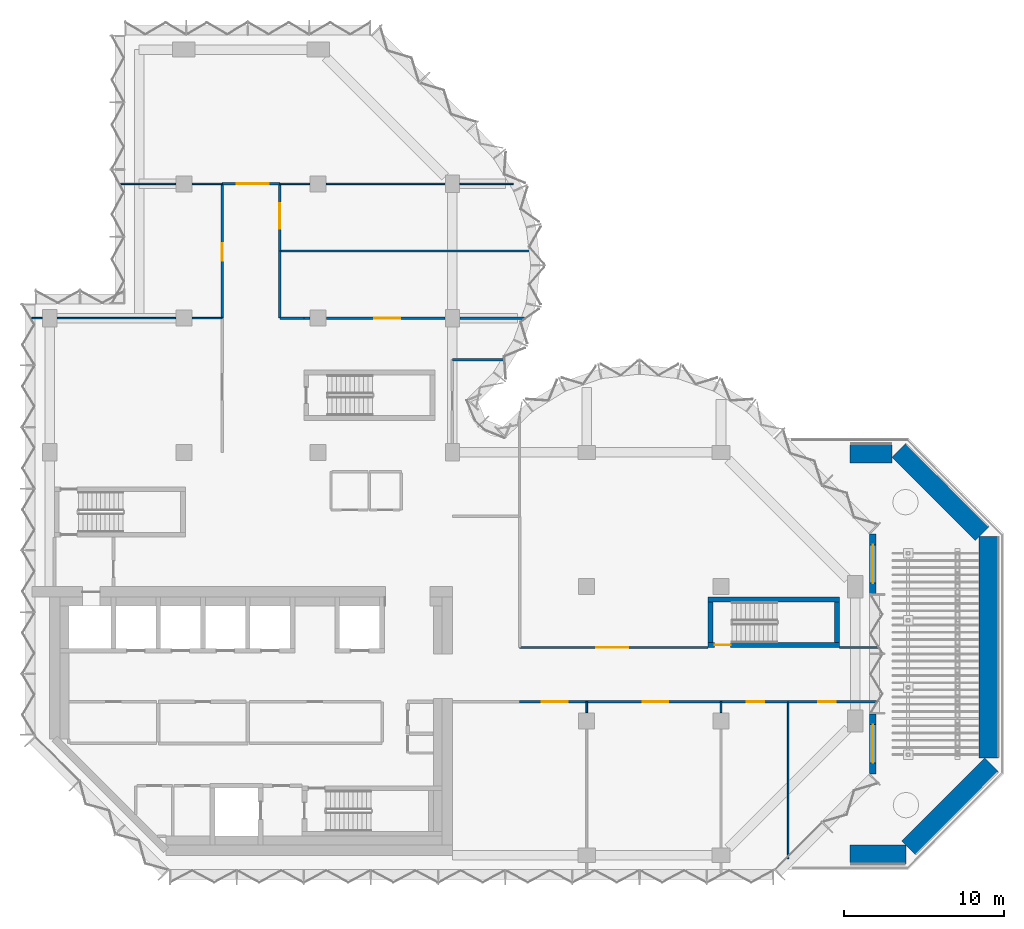
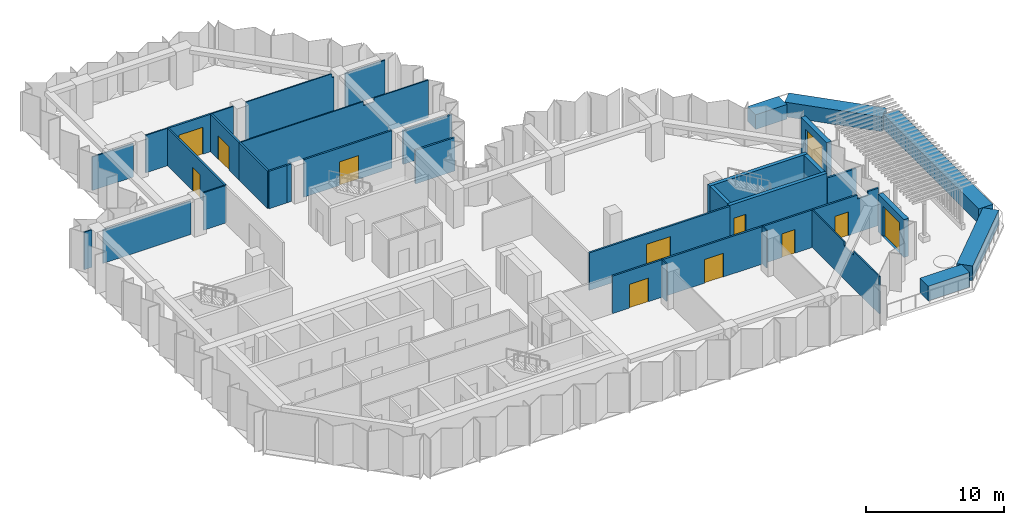
# One storey, part 10 of 14: 38 walls, 12 doors, 12 openings.
"""IFC4 building model written with IfcOpenShell, lengths in metres."""

from ifc_helpers import new_model, si_unit, direction, frame, frame_2d, origin, place, context, subcontext, project, spatial, polyline, rectangle, outline, extrude, material, layer, layer_set, type_object, element, fill, save


model = new_model("IFC4")

# Units and contexts
model_context = context("Model", 3, precision=1e-05, world=origin(), true_north=direction((0.0, 1.0)))
body_context = subcontext(model_context, "Body", "Model", "MODEL_VIEW")
ifc_project = project(units=[si_unit("LENGTHUNIT", "METRE"), si_unit("AREAUNIT", "SQUARE_METRE"), si_unit("VOLUMEUNIT", "CUBIC_METRE"), si_unit("PLANEANGLEUNIT", "RADIAN"), si_unit("MASSUNIT", "GRAM", prefix="KILO")], contexts=[model_context])

# Site, building, storey
site_placement = place(None, origin())
site = spatial("IfcSite", under=ifc_project, at=site_placement, CompositionType="ELEMENT")
building_placement = place(site_placement, origin())
building = spatial("IfcBuilding", under=site, at=building_placement, Name="Brevane Broadcast Tower", CompositionType="ELEMENT")
storey_placement = place(building_placement, frame((0.0, 0.0, 184.800048828125)))
storey = spatial("IfcBuildingStorey", under=building, at=storey_placement, Name="L46", CompositionType="ELEMENT", Elevation=184.800048828125)

# Wall, opening, door
ifc_material_1 = material(Name="Concrete C60/75", Category="concrete")
ifc_layer_1 = layer(ifc_material_1, 0.300048828125)
ifc_layer_set_1 = layer_set([ifc_layer_1], Name="Core wall 300 mm C60/75")
wall_type_1 = type_object("IfcWallType", Name="Core wall 300 mm C60/75", PredefinedType="SHEAR", material=ifc_layer_set_1)
wall_1_placement = place(storey_placement, frame((49.39990234375, 13.14990234375, 0.0), z_axis=(0.0, 0.0, 1.0), x_axis=(-1.0, 0.0, 0.0)))
wall_1 = element("IfcWall", 1, at=wall_1_placement, inside=storey, type_object=wall_type_1, Name="L46 stair wall ST-4-S", PredefinedType="SHEAR", context=body_context, shape_type="SweptSolid", body=[
    extrude(rectangle(XDim=8.199951171875, YDim=0.300048828125, at=frame_2d((4.10009765625, 0.0))), origin(), (0.0, 0.0, 1.0), 3.349853515625),
])
opening_1_placement = place(wall_1_placement, frame((6.800048828125, 0.0, 0.0)))
opening_1 = element("IfcOpeningElement", 2, at=opening_1_placement, cuts=wall_1, Name="Opening L46-K13", PredefinedType="OPENING", context=body_context, shape_type="SweptSolid", body=[
    extrude(rectangle(XDim=1.0, YDim=2.10009765625, at=frame_2d((0.5, 1.050048828125))), frame((0.0, 0.159912109375, 0.0), z_axis=(0.0, -1.0, 0.0), x_axis=(1.0, 0.0, 0.0)), (0.0, 0.0, 1.0), 0.320068359375),
])
ifc_material_2 = material(Name="Steel", Category="steel")
door_type_1 = type_object("IfcDoorType", Name="Stair door 1000 x 2100", OperationType="SINGLE_SWING_LEFT", PredefinedType="DOOR", material=ifc_material_2)
door_1_placement = place(opening_1_placement, origin())
door_1 = element("IfcDoor", 3, at=door_1_placement, inside=storey, type_object=door_type_1, Name="Door L46-K13", OperationType="SINGLE_SWING_RIGHT", OverallHeight=2.10009765625, OverallWidth=1.0, PredefinedType="DOOR", context=body_context, shape_type="SweptSolid", body=[
    extrude(rectangle(XDim=1.0, YDim=2.10009765625, at=frame_2d((0.5, 1.050048828125))), frame((0.0, 0.02490234375, 0.0), z_axis=(0.0, -1.0, 0.0), x_axis=(1.0, 0.0, 0.0)), (0.0, 0.0, 1.0), 0.050048828125),
])
fill(opening_1, door_1)

# Walls
wall_2_placement = place(storey_placement, frame((41.199951171875, 16.0, 0.0), z_axis=(0.0, 0.0, 1.0), x_axis=(1.0, 0.0, 0.0)))
element("IfcWall", 4, at=wall_2_placement, inside=storey, type_object=wall_type_1, Name="L46 stair wall ST-4-N", PredefinedType="SHEAR", context=body_context, shape_type="SweptSolid", body=[
    extrude(rectangle(XDim=8.199951171875, YDim=0.300048828125, at=frame_2d((4.10009765625, 0.0))), origin(), (0.0, 0.0, 1.0), 3.349853515625),
])
for number, where, z_axis, x_axis, name in (
    (5, (41.35009765625, 13.300048828125, 0.0), (0.0, 0.0, 1.0), (0.0, 1.0, 0.0), "L46 stair wall ST-4-W"),
    (6, (49.25, 13.300048828125, 0.0), (0.0, 0.0, 1.0), (0.0, 1.0, 0.0), "L46 stair wall ST-4-E"),
):
    element("IfcWall", number, at=place(storey_placement, frame(where, z_axis=z_axis, x_axis=x_axis)), inside=storey, type_object=wall_type_1, Name=name, PredefinedType="SHEAR", context=body_context, shape_type="SweptSolid", body=[
        extrude(rectangle(XDim=2.550048828125, YDim=0.300048828125, at=frame_2d((1.27490234375, 0.0))), origin(), (0.0, 0.0, 1.0), 3.349853515625),
    ])

# Wall, opening, door
ifc_material_3 = material(Name="Concrete C40/50", Category="concrete")
ifc_layer_2 = layer(ifc_material_3, 0.39990234375)
ifc_layer_set_2 = layer_set([ifc_layer_2], Name="Entrance portal wall 400")
wall_type_2 = type_object("IfcWallType", Name="Entrance portal wall 400", PredefinedType="SOLIDWALL", material=ifc_layer_set_2)
wall_3_placement = place(storey_placement, frame((51.5, 8.85009765625, 0.0), z_axis=(0.0, 0.0, 1.0), x_axis=(0.0, -1.0, 0.0)))
wall_3 = element("IfcWall", 7, at=wall_3_placement, inside=storey, type_object=wall_type_2, Name="Portal wall terrace door", PredefinedType="SOLIDWALL", context=body_context, shape_type="SweptSolid", body=[
    extrude(rectangle(XDim=3.75, YDim=0.39990234375, at=frame_2d((1.875, 0.0))), origin(), (0.0, 0.0, 1.0), 3.349853515625),
])
opening_2_placement = place(wall_3_placement, frame((0.675048828125, 0.0, 0.0)))
opening_2 = element("IfcOpeningElement", 8, at=opening_2_placement, cuts=wall_3, Name="Opening EX15", PredefinedType="OPENING", context=body_context, shape_type="SweptSolid", body=[
    extrude(rectangle(XDim=2.39990234375, YDim=2.699951171875, at=frame_2d((1.199951171875, 1.35009765625))), frame((0.0, 0.2099609375, 0.0), z_axis=(0.0, -1.0, 0.0), x_axis=(1.0, 0.0, 0.0)), (0.0, 0.0, 1.0), 0.419921875),
])
ifc_material_4 = material(Name="Aluminium bronze anodised and laminated glass", Category="aluminium")
door_type_2 = type_object("IfcDoorType", Name="Terrace door 2400x2700", OperationType="DOUBLE_DOOR_SINGLE_SWING", PredefinedType="DOOR", material=ifc_material_4)
door_2_placement = place(opening_2_placement, origin())
door_2 = element("IfcDoor", 9, at=door_2_placement, inside=storey, type_object=door_type_2, Name="Terrace door", OperationType="DOUBLE_DOOR_SINGLE_SWING", OverallHeight=2.699951171875, OverallWidth=2.39990234375, PredefinedType="DOOR", context=body_context, shape_type="SweptSolid", body=[
    extrude(rectangle(XDim=2.39990234375, YDim=2.699951171875, at=frame_2d((1.199951171875, 1.35009765625))), frame((0.0, 0.02490234375, 0.0), z_axis=(0.0, -1.0, 0.0), x_axis=(1.0, 0.0, 0.0)), (0.0, 0.0, 1.0), 0.050048828125),
])
fill(opening_2, door_2)

wall_4_placement = place(storey_placement, frame((51.5, 20.10009765625, 0.0), z_axis=(0.0, 0.0, 1.0), x_axis=(0.0, -1.0, 0.0)))
wall_4 = element("IfcWall", 10, at=wall_4_placement, inside=storey, type_object=wall_type_2, Name="Portal wall terrace door", PredefinedType="SOLIDWALL", context=body_context, shape_type="SweptSolid", body=[
    extrude(rectangle(XDim=3.75, YDim=0.39990234375, at=frame_2d((1.875, 0.0))), origin(), (0.0, 0.0, 1.0), 3.349853515625),
])
opening_3_placement = place(wall_4_placement, frame((0.675048828125, 0.0, 0.0)))
opening_3 = element("IfcOpeningElement", 11, at=opening_3_placement, cuts=wall_4, Name="Opening EX16", PredefinedType="OPENING", context=body_context, shape_type="SweptSolid", body=[
    extrude(rectangle(XDim=2.39990234375, YDim=2.699951171875, at=frame_2d((1.199951171875, 1.35009765625))), frame((0.0, 0.2099609375, 0.0), z_axis=(0.0, -1.0, 0.0), x_axis=(1.0, 0.0, 0.0)), (0.0, 0.0, 1.0), 0.419921875),
])
door_3_placement = place(opening_3_placement, origin())
door_3 = element("IfcDoor", 12, at=door_3_placement, inside=storey, type_object=door_type_2, Name="Terrace door", OperationType="DOUBLE_DOOR_SINGLE_SWING", OverallHeight=2.699951171875, OverallWidth=2.39990234375, PredefinedType="DOOR", context=body_context, shape_type="SweptSolid", body=[
    extrude(rectangle(XDim=2.39990234375, YDim=2.699951171875, at=frame_2d((1.199951171875, 1.35009765625))), frame((0.0, 0.02490234375, 0.0), z_axis=(0.0, -1.0, 0.0), x_axis=(1.0, 0.0, 0.0)), (0.0, 0.0, 1.0), 0.050048828125),
])
fill(opening_3, door_3)

# Walls
ifc_material_5 = material(Name="Gypsum board partition")
ifc_layer_3 = layer(ifc_material_5, 0.10009765625)
ifc_layer_set_3 = layer_set([ifc_layer_3], Name="PARTITION 100 STUD")
wall_type_3 = type_object("IfcWallType", Name="PARTITION 100 STUD", PredefinedType="PARTITIONING", material=ifc_layer_set_3)
for number, where, z_axis, x_axis, name in (
    (13, (33.60009765625, 9.60009765625, 0.0), (0.0, 0.0, 1.0), (0.0, -1.0, 0.0), "Partition G14-013"),
    (14, (42.0, 9.60009765625, 0.0), (0.0, 0.0, 1.0), (0.0, -1.0, 0.0), "Partition G14-016"),
):
    element("IfcWall", number, at=place(storey_placement, frame(where, z_axis=z_axis, x_axis=x_axis)), inside=storey, type_object=wall_type_3, Name=name, PredefinedType="PARTITIONING", context=body_context, shape_type="SweptSolid", body=[
        extrude(rectangle(XDim=0.68017578125, YDim=0.10009765625, at=frame_2d((0.340087890625, 0.0))), origin(), (0.0, 0.0, 1.0), 3.329833984375),
    ])
wall_5_placement = place(storey_placement, frame((46.199951171875, 9.60009765625, 0.0), z_axis=(0.0, 0.0, 1.0), x_axis=(0.0, -1.0, 0.0)))
element("IfcWall", 15, at=wall_5_placement, inside=storey, type_object=wall_type_3, Name="Partition G14-019", PredefinedType="PARTITIONING", context=body_context, shape_type="SweptSolid", body=[
    extrude(outline(polyline([(0.0, 0.0), (9.800048828125, 0.0), (9.800048828125, 3.329833984375), (6.065673828125, 3.329833984375), (6.063720703125, 2.97998046875), (4.736328125, 2.97998046875), (4.734375, 3.329833984375), (0.0, 3.329833984375), (0.0, 0.0)])), frame((0.0, 0.050048828125, 0.0), z_axis=(0.0, -1.0, 0.0), x_axis=(1.0, 0.0, 0.0)), (0.0, 0.0, 1.0), 0.10009765625),
])
wall_6_placement = place(storey_placement, frame((10.800048828125, 42.0, 0.0), z_axis=(0.0, 0.0, 1.0), x_axis=(-1.0, 0.0, 0.0)))
element("IfcWall", 16, at=wall_6_placement, inside=storey, type_object=wall_type_3, Name="Partition G14-029", PredefinedType="PARTITIONING", context=body_context, shape_type="SweptSolid", body=[
    extrude(rectangle(XDim=1.880126953125, YDim=0.10009765625, at=frame_2d((0.93994140625, 0.0))), origin(), (0.0, 0.0, 1.0), 3.329833984375),
])
wall_7_placement = place(storey_placement, frame((7.8798828125, 42.0, 0.0), z_axis=(0.0, 0.0, 1.0), x_axis=(-1.0, 0.0, 0.0)))
element("IfcWall", 17, at=wall_7_placement, inside=storey, type_object=wall_type_3, Name="Partition G14-030", PredefinedType="PARTITIONING", context=body_context, shape_type="SweptSolid", body=[
    extrude(rectangle(XDim=3.453857421875, YDim=0.10009765625, at=frame_2d((1.72705078125, 0.0))), origin(), (0.0, 0.0, 1.0), 2.97998046875),
])
wall_8_placement = place(storey_placement, frame((29.011474609375, 42.0, 0.0), z_axis=(0.0, 0.0, 1.0), x_axis=(-1.0, 0.0, 0.0)))
element("IfcWall", 18, at=wall_8_placement, inside=storey, type_object=wall_type_3, Name="Partition G14-031", PredefinedType="PARTITIONING", context=body_context, shape_type="SweptSolid", body=[
    extrude(rectangle(XDim=3.341552734375, YDim=0.10009765625, at=frame_2d((1.6708984375, 0.0))), origin(), (0.0, 0.0, 1.0), 2.97998046875),
])
wall_9_placement = place(storey_placement, frame((24.72998046875, 42.0, 0.0), z_axis=(0.0, 0.0, 1.0), x_axis=(-1.0, 0.0, 0.0)))
element("IfcWall", 19, at=wall_9_placement, inside=storey, type_object=wall_type_3, Name="Partition G14-032", PredefinedType="PARTITIONING", context=body_context, shape_type="SweptSolid", body=[
    extrude(outline(polyline([(0.0, 0.0), (7.409912109375, 0.0), (7.409912109375, 3.329833984375), (0.19580078125, 3.329833984375), (0.193603515625, 2.97998046875), (0.0, 2.97998046875), (0.0, 0.0)])), frame((0.0, 0.050048828125, 0.0), z_axis=(0.0, -1.0, 0.0), x_axis=(1.0, 0.0, 0.0)), (0.0, 0.0, 1.0), 0.10009765625),
])
wall_10_placement = place(storey_placement, frame((16.280029296875, 42.0, 0.0), z_axis=(0.0, 0.0, 1.0), x_axis=(-1.0, 0.0, 0.0)))
element("IfcWall", 20, at=wall_10_placement, inside=storey, type_object=wall_type_3, Name="Partition G14-033", PredefinedType="PARTITIONING", context=body_context, shape_type="SweptSolid", body=[
    extrude(rectangle(XDim=1.880126953125, YDim=0.10009765625, at=frame_2d((0.93994140625, 0.0))), origin(), (0.0, 0.0, 1.0), 3.329833984375),
])
wall_11_placement = place(storey_placement, frame((-1.10009765625, 33.60009765625, 0.0), z_axis=(0.0, 0.0, 1.0), x_axis=(1.0, 0.0, 0.0)))
element("IfcWall", 21, at=wall_11_placement, inside=storey, type_object=wall_type_3, Name="Partition G14-034", PredefinedType="PARTITIONING", context=body_context, shape_type="SweptSolid", body=[
    extrude(rectangle(XDim=0.630126953125, YDim=0.10009765625, at=frame_2d((0.31494140625, 0.0))), origin(), (0.0, 0.0, 1.0), 3.329833984375),
])
wall_12_placement = place(storey_placement, frame((0.469970703125, 33.60009765625, 0.0), z_axis=(0.0, 0.0, 1.0), x_axis=(1.0, 0.0, 0.0)))
element("IfcWall", 22, at=wall_12_placement, inside=storey, type_object=wall_type_3, Name="Partition G14-035", PredefinedType="PARTITIONING", context=body_context, shape_type="SweptSolid", body=[
    extrude(outline(polyline([(0.0, 0.0), (7.409912109375, 0.0), (7.409912109375, 2.97998046875), (0.0, 2.97998046875), (0.0, 0.0)])), frame((0.0, 0.050048828125, 0.0), z_axis=(0.0, -1.0, 0.0), x_axis=(1.0, 0.0, 0.0)), (0.0, 0.0, 1.0), 0.10009765625),
])
wall_13_placement = place(storey_placement, frame((8.919921875, 33.60009765625, 0.0), z_axis=(0.0, 0.0, 1.0), x_axis=(1.0, 0.0, 0.0)))
element("IfcWall", 23, at=wall_13_placement, inside=storey, type_object=wall_type_3, Name="Partition G14-036", PredefinedType="PARTITIONING", context=body_context, shape_type="SweptSolid", body=[
    extrude(rectangle(XDim=1.880126953125, YDim=0.10009765625, at=frame_2d((0.93994140625, 0.0))), origin(), (0.0, 0.0, 1.0), 3.329833984375),
])
wall_14_placement = place(storey_placement, frame((14.39990234375, 37.800048828125, 0.0), z_axis=(0.0, 0.0, 1.0), x_axis=(1.0, 0.0, 0.0)))
element("IfcWall", 24, at=wall_14_placement, inside=storey, type_object=wall_type_3, Name="Partition G14-037", PredefinedType="PARTITIONING", context=body_context, shape_type="SweptSolid", body=[
    extrude(outline(polyline([(0.0, 0.0), (15.8427734375, 0.0), (15.8427734375, 3.329833984375), (11.25, 3.329833984375), (11.248046875, 2.97998046875), (10.35205078125, 2.97998046875), (10.35009765625, 3.329833984375), (0.0, 3.329833984375), (0.0, 0.0)])), frame((0.0, 0.050048828125, 0.0), z_axis=(0.0, -1.0, 0.0), x_axis=(1.0, 0.0, 0.0)), (0.0, 0.0, 1.0), 0.10009765625),
])
ifc_layer_4 = layer(ifc_material_5, 0.14990234375)
ifc_layer_set_4 = layer_set([ifc_layer_4], Name="PARTITION 150 EI 60")
wall_type_4 = type_object("IfcWallType", Name="PARTITION 150 EI 60", PredefinedType="PARTITIONING", material=ifc_layer_set_4)
wall_15_placement = place(storey_placement, frame((25.199951171875, 31.0, 0.0), z_axis=(0.0, 0.0, 1.0), x_axis=(1.0, 0.0, 0.0)))
element("IfcWall", 25, at=wall_15_placement, inside=storey, type_object=wall_type_4, Name="Partition G14-006", PredefinedType="PARTITIONING", context=body_context, shape_type="SweptSolid", body=[
    extrude(rectangle(XDim=3.32421875, YDim=0.14990234375, at=frame_2d((1.662109375, 0.0))), origin(), (0.0, 0.0, 1.0), 2.97998046875),
])

# Wall, opening, door
wall_16_placement = place(storey_placement, frame((33.60009765625, 9.60009765625, 0.0), z_axis=(0.0, 0.0, 1.0), x_axis=(-1.0, 0.0, 0.0)))
wall_16 = element("IfcWall", 26, at=wall_16_placement, inside=storey, type_object=wall_type_4, Name="Partition G14-007", PredefinedType="PARTITIONING", context=body_context, shape_type="SweptSolid", body=[
    extrude(rectangle(XDim=4.2001953125, YDim=0.14990234375, at=frame_2d((2.10009765625, 0.0))), origin(), (0.0, 0.0, 1.0), 3.329833984375),
])
opening_4_placement = place(wall_16_placement, frame((1.199951171875, 0.0, 0.0)))
opening_4 = element("IfcOpeningElement", 27, at=opening_4_placement, cuts=wall_16, Name="Opening D23-002", PredefinedType="OPENING", context=body_context, shape_type="SweptSolid", body=[
    extrude(rectangle(XDim=1.60009765625, YDim=2.10009765625, at=frame_2d((0.800048828125, 1.050048828125))), frame((0.0, 0.0849609375, 0.0), z_axis=(0.0, -1.0, 0.0), x_axis=(1.0, 0.0, 0.0)), (0.0, 0.0, 1.0), 0.169921875),
])
ifc_material_6 = material(Name="Fire-rated timber door leaf", Category="wood")
door_type_3 = type_object("IfcDoorType", Name="DOOR DOUBLE 1600 FD30S", OperationType="DOUBLE_DOOR_SINGLE_SWING", PredefinedType="DOOR", material=ifc_material_6)
door_4_placement = place(opening_4_placement, origin())
door_4 = element("IfcDoor", 28, at=door_4_placement, inside=storey, type_object=door_type_3, Name="Door D23-002", OperationType="DOUBLE_DOOR_SINGLE_SWING", OverallHeight=2.10009765625, OverallWidth=1.60009765625, PredefinedType="DOOR", context=body_context, shape_type="SweptSolid", body=[
    extrude(rectangle(XDim=1.60009765625, YDim=2.10009765625, at=frame_2d((0.800048828125, 1.050048828125))), frame((0.0, 0.02490234375, 0.0), z_axis=(0.0, -1.0, 0.0), x_axis=(1.0, 0.0, 0.0)), (0.0, 0.0, 1.0), 0.050048828125),
])
fill(opening_4, door_4)

wall_17_placement = place(storey_placement, frame((42.0, 9.60009765625, 0.0), z_axis=(0.0, 0.0, 1.0), x_axis=(-1.0, 0.0, 0.0)))
wall_17 = element("IfcWall", 29, at=wall_17_placement, inside=storey, type_object=wall_type_4, Name="Partition G14-008", PredefinedType="PARTITIONING", context=body_context, shape_type="SweptSolid", body=[
    extrude(rectangle(XDim=8.39990234375, YDim=0.14990234375, at=frame_2d((4.199951171875, 0.0))), origin(), (0.0, 0.0, 1.0), 3.329833984375),
])
opening_5_placement = place(wall_17_placement, frame((3.300048828125, 0.0, 0.0)))
opening_5 = element("IfcOpeningElement", 30, at=opening_5_placement, cuts=wall_17, Name="Opening D23-003", PredefinedType="OPENING", context=body_context, shape_type="SweptSolid", body=[
    extrude(rectangle(XDim=1.60009765625, YDim=2.10009765625, at=frame_2d((0.800048828125, 1.050048828125))), frame((0.0, 0.0849609375, 0.0), z_axis=(0.0, -1.0, 0.0), x_axis=(1.0, 0.0, 0.0)), (0.0, 0.0, 1.0), 0.169921875),
])
door_5_placement = place(opening_5_placement, origin())
door_5 = element("IfcDoor", 31, at=door_5_placement, inside=storey, type_object=door_type_3, Name="Door D23-003", OperationType="DOUBLE_DOOR_SINGLE_SWING", OverallHeight=2.10009765625, OverallWidth=1.60009765625, PredefinedType="DOOR", context=body_context, shape_type="SweptSolid", body=[
    extrude(rectangle(XDim=1.60009765625, YDim=2.10009765625, at=frame_2d((0.800048828125, 1.050048828125))), frame((0.0, 0.02490234375, 0.0), z_axis=(0.0, -1.0, 0.0), x_axis=(1.0, 0.0, 0.0)), (0.0, 0.0, 1.0), 0.050048828125),
])
fill(opening_5, door_5)

wall_18_placement = place(storey_placement, frame((46.199951171875, 9.60009765625, 0.0), z_axis=(0.0, 0.0, 1.0), x_axis=(-1.0, 0.0, 0.0)))
wall_18 = element("IfcWall", 32, at=wall_18_placement, inside=storey, type_object=wall_type_4, Name="Partition G14-009", PredefinedType="PARTITIONING", context=body_context, shape_type="SweptSolid", body=[
    extrude(rectangle(XDim=4.199951171875, YDim=0.14990234375, at=frame_2d((2.10009765625, 0.0))), origin(), (0.0, 0.0, 1.0), 3.329833984375),
])
opening_6_placement = place(wall_18_placement, frame((1.5, 0.0, 0.0)))
opening_6 = element("IfcOpeningElement", 33, at=opening_6_placement, cuts=wall_18, Name="Opening D23-004", PredefinedType="OPENING", context=body_context, shape_type="SweptSolid", body=[
    extrude(rectangle(XDim=1.10009765625, YDim=2.10009765625, at=frame_2d((0.550048828125, 1.050048828125))), frame((0.0, 0.0849609375, 0.0), z_axis=(0.0, -1.0, 0.0), x_axis=(1.0, 0.0, 0.0)), (0.0, 0.0, 1.0), 0.169921875),
])
door_type_4 = type_object("IfcDoorType", Name="DOOR SINGLE 1100 FD30S", OperationType="SINGLE_SWING_LEFT", PredefinedType="DOOR", material=ifc_material_6)
door_6_placement = place(opening_6_placement, origin())
door_6 = element("IfcDoor", 34, at=door_6_placement, inside=storey, type_object=door_type_4, Name="Door D23-004", OperationType="SINGLE_SWING_LEFT", OverallHeight=2.10009765625, OverallWidth=1.10009765625, PredefinedType="DOOR", context=body_context, shape_type="SweptSolid", body=[
    extrude(rectangle(XDim=1.10009765625, YDim=2.10009765625, at=frame_2d((0.550048828125, 1.050048828125))), frame((0.0, 0.02490234375, 0.0), z_axis=(0.0, -1.0, 0.0), x_axis=(1.0, 0.0, 0.0)), (0.0, 0.0, 1.0), 0.050048828125),
])
fill(opening_6, door_6)

wall_19_placement = place(storey_placement, frame((51.73046875, 9.60009765625, 0.0), z_axis=(0.0, 0.0, 1.0), x_axis=(-1.0, 0.0, 0.0)))
wall_19 = element("IfcWall", 35, at=wall_19_placement, inside=storey, type_object=wall_type_4, Name="Partition G14-010", PredefinedType="PARTITIONING", context=body_context, shape_type="SweptSolid", body=[
    extrude(outline(polyline([(0.0, 0.0), (5.530517578125, 0.0), (5.530517578125, 3.329833984375), (1.780517578125, 3.329833984375), (1.778564453125, 2.97998046875), (0.882568359375, 2.97998046875), (0.880615234375, 3.329833984375), (0.25048828125, 3.329833984375), (0.0, 3.329833984375), (0.0, 0.0)])), frame((0.0, 0.074951171875, 0.0), z_axis=(0.0, -1.0, 0.0), x_axis=(1.0, 0.0, 0.0)), (0.0, 0.0, 1.0), 0.14990234375),
])
opening_7_placement = place(wall_19_placement, frame((2.550537109375, 0.0, 0.0)))
opening_7 = element("IfcOpeningElement", 36, at=opening_7_placement, cuts=wall_19, Name="Opening D23-005", PredefinedType="OPENING", context=body_context, shape_type="SweptSolid", body=[
    extrude(rectangle(XDim=1.10009765625, YDim=2.10009765625, at=frame_2d((0.550048828125, 1.050048828125))), frame((0.0, 0.0849609375, 0.0), z_axis=(0.0, -1.0, 0.0), x_axis=(1.0, 0.0, 0.0)), (0.0, 0.0, 1.0), 0.169921875),
])
door_7_placement = place(opening_7_placement, origin())
door_7 = element("IfcDoor", 37, at=door_7_placement, inside=storey, type_object=door_type_4, Name="Door D23-005", OperationType="SINGLE_SWING_LEFT", OverallHeight=2.10009765625, OverallWidth=1.10009765625, PredefinedType="DOOR", context=body_context, shape_type="SweptSolid", body=[
    extrude(rectangle(XDim=1.10009765625, YDim=2.10009765625, at=frame_2d((0.550048828125, 1.050048828125))), frame((0.0, 0.02490234375, 0.0), z_axis=(0.0, -1.0, 0.0), x_axis=(1.0, 0.0, 0.0)), (0.0, 0.0, 1.0), 0.050048828125),
])
fill(opening_7, door_7)

wall_20_placement = place(storey_placement, frame((29.39990234375, 13.0, 0.0), z_axis=(0.0, 0.0, 1.0), x_axis=(1.0, 0.0, 0.0)))
wall_20 = element("IfcWall", 38, at=wall_20_placement, inside=storey, type_object=wall_type_4, Name="Partition G14-011", PredefinedType="PARTITIONING", context=body_context, shape_type="SweptSolid", body=[
    extrude(rectangle(XDim=11.800048828125, YDim=0.14990234375, at=frame_2d((5.89990234375, 0.0))), origin(), (0.0, 0.0, 1.0), 3.329833984375),
])
opening_8_placement = place(wall_20_placement, frame((4.800048828125, 0.0, 0.0)))
opening_8 = element("IfcOpeningElement", 39, at=opening_8_placement, cuts=wall_20, Name="Opening D23-006", PredefinedType="OPENING", context=body_context, shape_type="SweptSolid", body=[
    extrude(rectangle(XDim=2.0, YDim=2.39990234375, at=frame_2d((1.0, 1.199951171875))), frame((0.0, 0.0849609375, 0.0), z_axis=(0.0, -1.0, 0.0), x_axis=(1.0, 0.0, 0.0)), (0.0, 0.0, 1.0), 0.169921875),
])
door_type_5 = type_object("IfcDoorType", Name="DOOR DOUBLE 2000 FD30S", OperationType="DOUBLE_DOOR_SINGLE_SWING", PredefinedType="DOOR", material=ifc_material_6)
door_8_placement = place(opening_8_placement, origin())
door_8 = element("IfcDoor", 40, at=door_8_placement, inside=storey, type_object=door_type_5, Name="Door D23-006", OperationType="DOUBLE_DOOR_SINGLE_SWING", OverallHeight=2.39990234375, OverallWidth=2.0, PredefinedType="DOOR", context=body_context, shape_type="SweptSolid", body=[
    extrude(rectangle(XDim=2.0, YDim=2.39990234375, at=frame_2d((1.0, 1.199951171875))), frame((0.0, 0.02490234375, 0.0), z_axis=(0.0, -1.0, 0.0), x_axis=(1.0, 0.0, 0.0)), (0.0, 0.0, 1.0), 0.050048828125),
])
fill(opening_8, door_8)

# Walls
wall_21_placement = place(storey_placement, frame((49.39990234375, 13.0, 0.0), z_axis=(0.0, 0.0, 1.0), x_axis=(1.0, 0.0, 0.0)))
element("IfcWall", 41, at=wall_21_placement, inside=storey, type_object=wall_type_4, Name="Partition G14-012", PredefinedType="PARTITIONING", context=body_context, shape_type="SweptSolid", body=[
    extrude(rectangle(XDim=2.419677734375, YDim=0.14990234375, at=frame_2d((1.2099609375, 0.0))), origin(), (0.0, 0.0, 1.0), 2.97998046875),
])
wall_22_placement = place(storey_placement, frame((14.39990234375, 33.60009765625, 0.0), z_axis=(0.0, 0.0, 1.0), x_axis=(1.0, 0.0, 0.0)))
element("IfcWall", 42, at=wall_22_placement, inside=storey, type_object=wall_type_4, Name="Partition G14-021", PredefinedType="PARTITIONING", context=body_context, shape_type="SweptSolid", body=[
    extrude(rectangle(XDim=1.5, YDim=0.14990234375, at=frame_2d((0.75, 0.0))), origin(), (0.0, 0.0, 1.0), 3.329833984375),
])
wall_23_placement = place(storey_placement, frame((15.89990234375, 33.60009765625, 0.0), z_axis=(0.0, 0.0, 1.0), x_axis=(1.0, 0.0, 0.0)))
element("IfcWall", 43, at=wall_23_placement, inside=storey, type_object=wall_type_4, Name="Partition G14-022", PredefinedType="PARTITIONING", context=body_context, shape_type="SweptSolid", body=[
    extrude(rectangle(XDim=0.380126953125, YDim=0.14990234375, at=frame_2d((0.18994140625, 0.0))), origin(), (0.0, 0.0, 1.0), 3.329833984375),
])

# Wall, opening, door
wall_24_placement = place(storey_placement, frame((17.320068359375, 33.60009765625, 0.0), z_axis=(0.0, 0.0, 1.0), x_axis=(1.0, 0.0, 0.0)))
wall_24 = element("IfcWall", 44, at=wall_24_placement, inside=storey, type_object=wall_type_4, Name="Partition G14-023", PredefinedType="PARTITIONING", context=body_context, shape_type="SweptSolid", body=[
    extrude(rectangle(XDim=7.409912109375, YDim=0.14990234375, at=frame_2d((3.705078125, 0.0))), origin(), (0.0, 0.0, 1.0), 3.329833984375),
])
opening_9_placement = place(wall_24_placement, frame((3.0, 0.0, 0.0)))
opening_9 = element("IfcOpeningElement", 45, at=opening_9_placement, cuts=wall_24, Name="Opening D23-010", PredefinedType="OPENING", context=body_context, shape_type="SweptSolid", body=[
    extrude(rectangle(XDim=1.60009765625, YDim=2.10009765625, at=frame_2d((0.800048828125, 1.050048828125))), frame((0.0, 0.0849609375, 0.0), z_axis=(0.0, -1.0, 0.0), x_axis=(1.0, 0.0, 0.0)), (0.0, 0.0, 1.0), 0.169921875),
])
door_9_placement = place(opening_9_placement, origin())
door_9 = element("IfcDoor", 46, at=door_9_placement, inside=storey, type_object=door_type_3, Name="Door D23-010", OperationType="DOUBLE_DOOR_SINGLE_SWING", OverallHeight=2.10009765625, OverallWidth=1.60009765625, PredefinedType="DOOR", context=body_context, shape_type="SweptSolid", body=[
    extrude(rectangle(XDim=1.60009765625, YDim=2.10009765625, at=frame_2d((0.800048828125, 1.050048828125))), frame((0.0, 0.02490234375, 0.0), z_axis=(0.0, -1.0, 0.0), x_axis=(1.0, 0.0, 0.0)), (0.0, 0.0, 1.0), 0.050048828125),
])
fill(opening_9, door_9)

# Wall
wall_25_placement = place(storey_placement, frame((25.669921875, 33.60009765625, 0.0), z_axis=(0.0, 0.0, 1.0), x_axis=(1.0, 0.0, 0.0)))
element("IfcWall", 47, at=wall_25_placement, inside=storey, type_object=wall_type_4, Name="Partition G14-024", PredefinedType="PARTITIONING", context=body_context, shape_type="SweptSolid", body=[
    extrude(rectangle(XDim=4.092041015625, YDim=0.14990234375, at=frame_2d((2.0458984375, 0.0))), origin(), (0.0, 0.0, 1.0), 2.97998046875),
])

# Wall, opening, door
wall_26_placement = place(storey_placement, frame((10.800048828125, 42.0, 0.0), z_axis=(0.0, 0.0, 1.0), x_axis=(1.0, 0.0, 0.0)))
wall_26 = element("IfcWall", 48, at=wall_26_placement, inside=storey, type_object=wall_type_4, Name="Partition G14-025", PredefinedType="PARTITIONING", context=body_context, shape_type="SweptSolid", body=[
    extrude(rectangle(XDim=3.599853515625, YDim=0.14990234375, at=frame_2d((1.7998046875, 0.0))), origin(), (0.0, 0.0, 1.0), 3.329833984375),
])
opening_10_placement = place(wall_26_placement, frame((0.89990234375, 0.0, 0.0)))
opening_10 = element("IfcOpeningElement", 49, at=opening_10_placement, cuts=wall_26, Name="Opening D23-007", PredefinedType="OPENING", context=body_context, shape_type="SweptSolid", body=[
    extrude(rectangle(XDim=2.0, YDim=2.39990234375, at=frame_2d((1.0, 1.199951171875))), frame((0.0, 0.0849609375, 0.0), z_axis=(0.0, -1.0, 0.0), x_axis=(1.0, 0.0, 0.0)), (0.0, 0.0, 1.0), 0.169921875),
])
door_10_placement = place(opening_10_placement, origin())
door_10 = element("IfcDoor", 50, at=door_10_placement, inside=storey, type_object=door_type_5, Name="Door D23-007", OperationType="DOUBLE_DOOR_SINGLE_SWING", OverallHeight=2.39990234375, OverallWidth=2.0, PredefinedType="DOOR", context=body_context, shape_type="SweptSolid", body=[
    extrude(rectangle(XDim=2.0, YDim=2.39990234375, at=frame_2d((1.0, 1.199951171875))), frame((0.0, 0.02490234375, 0.0), z_axis=(0.0, -1.0, 0.0), x_axis=(1.0, 0.0, 0.0)), (0.0, 0.0, 1.0), 0.050048828125),
])
fill(opening_10, door_10)

wall_27_placement = place(storey_placement, frame((10.800048828125, 33.60009765625, 0.0), z_axis=(0.0, 0.0, 1.0), x_axis=(0.0, 1.0, 0.0)))
wall_27 = element("IfcWall", 51, at=wall_27_placement, inside=storey, type_object=wall_type_4, Name="Partition G14-026", PredefinedType="PARTITIONING", context=body_context, shape_type="SweptSolid", body=[
    extrude(rectangle(XDim=8.39990234375, YDim=0.14990234375, at=frame_2d((4.199951171875, 0.0))), origin(), (0.0, 0.0, 1.0), 3.329833984375),
])
opening_11_placement = place(wall_27_placement, frame((3.60009765625, 0.0, 0.0)))
opening_11 = element("IfcOpeningElement", 52, at=opening_11_placement, cuts=wall_27, Name="Opening D23-009", PredefinedType="OPENING", context=body_context, shape_type="SweptSolid", body=[
    extrude(rectangle(XDim=1.10009765625, YDim=2.10009765625, at=frame_2d((0.550048828125, 1.050048828125))), frame((0.0, 0.0849609375, 0.0), z_axis=(0.0, -1.0, 0.0), x_axis=(1.0, 0.0, 0.0)), (0.0, 0.0, 1.0), 0.169921875),
])
door_11_placement = place(opening_11_placement, origin())
door_11 = element("IfcDoor", 53, at=door_11_placement, inside=storey, type_object=door_type_4, Name="Door D23-009", OperationType="SINGLE_SWING_LEFT", OverallHeight=2.10009765625, OverallWidth=1.10009765625, PredefinedType="DOOR", context=body_context, shape_type="SweptSolid", body=[
    extrude(rectangle(XDim=1.10009765625, YDim=2.10009765625, at=frame_2d((0.550048828125, 1.050048828125))), frame((0.0, 0.02490234375, 0.0), z_axis=(0.0, -1.0, 0.0), x_axis=(1.0, 0.0, 0.0)), (0.0, 0.0, 1.0), 0.050048828125),
])
fill(opening_11, door_11)

# Wall
wall_28_placement = place(storey_placement, frame((14.39990234375, 37.800048828125, 0.0), z_axis=(0.0, 0.0, 1.0), x_axis=(0.0, -1.0, 0.0)))
element("IfcWall", 54, at=wall_28_placement, inside=storey, type_object=wall_type_4, Name="Partition G14-027", PredefinedType="PARTITIONING", context=body_context, shape_type="SweptSolid", body=[
    extrude(rectangle(XDim=4.199951171875, YDim=0.14990234375, at=frame_2d((2.10009765625, 0.0))), origin(), (0.0, 0.0, 1.0), 3.329833984375),
])

# Wall, opening, door
wall_29_placement = place(storey_placement, frame((14.39990234375, 42.0, 0.0), z_axis=(0.0, 0.0, 1.0), x_axis=(0.0, -1.0, 0.0)))
wall_29 = element("IfcWall", 55, at=wall_29_placement, inside=storey, type_object=wall_type_4, Name="Partition G14-028", PredefinedType="PARTITIONING", context=body_context, shape_type="SweptSolid", body=[
    extrude(rectangle(XDim=4.199951171875, YDim=0.14990234375, at=frame_2d((2.10009765625, 0.0))), origin(), (0.0, 0.0, 1.0), 3.329833984375),
])
opening_12_placement = place(wall_29_placement, frame((1.199951171875, 0.0, 0.0)))
opening_12 = element("IfcOpeningElement", 56, at=opening_12_placement, cuts=wall_29, Name="Opening D23-011", PredefinedType="OPENING", context=body_context, shape_type="SweptSolid", body=[
    extrude(rectangle(XDim=1.60009765625, YDim=2.10009765625, at=frame_2d((0.800048828125, 1.050048828125))), frame((0.0, 0.0849609375, 0.0), z_axis=(0.0, -1.0, 0.0), x_axis=(1.0, 0.0, 0.0)), (0.0, 0.0, 1.0), 0.169921875),
])
door_12_placement = place(opening_12_placement, origin())
door_12 = element("IfcDoor", 57, at=door_12_placement, inside=storey, type_object=door_type_3, Name="Door D23-011", OperationType="DOUBLE_DOOR_SINGLE_SWING", OverallHeight=2.10009765625, OverallWidth=1.60009765625, PredefinedType="DOOR", context=body_context, shape_type="SweptSolid", body=[
    extrude(rectangle(XDim=1.60009765625, YDim=2.10009765625, at=frame_2d((0.800048828125, 1.050048828125))), frame((0.0, 0.02490234375, 0.0), z_axis=(0.0, -1.0, 0.0), x_axis=(1.0, 0.0, 0.0)), (0.0, 0.0, 1.0), 0.050048828125),
])
fill(opening_12, door_12)

# Walls
ifc_material_7 = material(Name="Concrete C30/37", Category="concrete")
ifc_layer_5 = layer(ifc_material_7, 1.199951171875)
ifc_layer_set_5 = layer_set([ifc_layer_5], Name="Planter wall 1200")
wall_type_5 = type_object("IfcWallType", Name="Planter wall 1200", PredefinedType="PARAPET", material=ifc_layer_set_5)
wall_30_placement = place(storey_placement, frame((50.077392578125, 0.050048828125, 0.0), z_axis=(0.0, 0.0, 1.0), x_axis=(1.0, 0.0, 0.0)))
element("IfcWall", 58, at=wall_30_placement, inside=storey, type_object=wall_type_5, Name="Planting bed L46-1", PredefinedType="PARAPET", context=body_context, shape_type="SweptSolid", body=[
    extrude(rectangle(XDim=3.4775390625, YDim=1.199951171875, at=frame_2d((1.73876953125, 0.0))), origin(), (0.0, 0.0, 1.0), 1.300048828125),
])
wall_31_placement = place(storey_placement, frame((53.730712890625, 0.474365234375, 0.0), z_axis=(0.0, 0.0, 1.0), x_axis=(0.707123396514, 0.707090165469, 0.0)))
element("IfcWall", 59, at=wall_31_placement, inside=storey, type_object=wall_type_5, Name="Planting bed L46-2", PredefinedType="PARAPET", context=body_context, shape_type="SweptSolid", body=[
    extrude(rectangle(XDim=7.3466796875, YDim=1.199951171875, at=frame_2d((3.67333984375, 0.0))), origin(), (0.0, 0.0, 1.0), 1.300048828125),
])
wall_32_placement = place(storey_placement, frame((58.75, 6.093505859375, 0.0), z_axis=(0.0, 0.0, 1.0), x_axis=(0.0, 1.0, 0.0)))
element("IfcWall", 60, at=wall_32_placement, inside=storey, type_object=wall_type_5, Name="Planting bed L46-3", PredefinedType="PARAPET", context=body_context, shape_type="SweptSolid", body=[
    extrude(rectangle(XDim=13.861572265625, YDim=1.199951171875, at=frame_2d((6.9306640625, 0.0))), origin(), (0.0, 0.0, 1.0), 1.300048828125),
])
wall_33_placement = place(storey_placement, frame((58.32568359375, 20.130859375, 0.0), z_axis=(0.0, 0.0, 1.0), x_axis=(-0.707106781187, 0.707106781187, 0.0)))
element("IfcWall", 61, at=wall_33_placement, inside=storey, type_object=wall_type_5, Name="Planting bed L46-4", PredefinedType="PARAPET", context=body_context, shape_type="SweptSolid", body=[
    extrude(rectangle(XDim=7.3466796875, YDim=1.199951171875, at=frame_2d((3.67333984375, 0.0))), origin(), (0.0, 0.0, 1.0), 1.300048828125),
])
wall_34_placement = place(storey_placement, frame((52.70654296875, 25.14990234375, 0.0), z_axis=(0.0, 0.0, 1.0), x_axis=(-1.0, 0.0, 0.0)))
element("IfcWall", 62, at=wall_34_placement, inside=storey, type_object=wall_type_5, Name="Planting bed L46-5", PredefinedType="PARAPET", context=body_context, shape_type="SweptSolid", body=[
    extrude(rectangle(XDim=2.629150390625, YDim=1.199951171875, at=frame_2d((1.314453125, 0.0))), origin(), (0.0, 0.0, 1.0), 1.300048828125),
])

save(model, "model.ifc")
